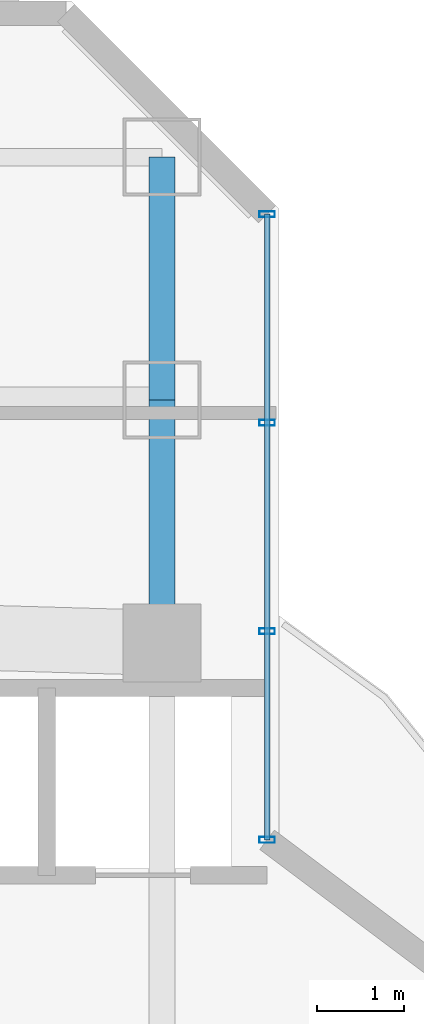
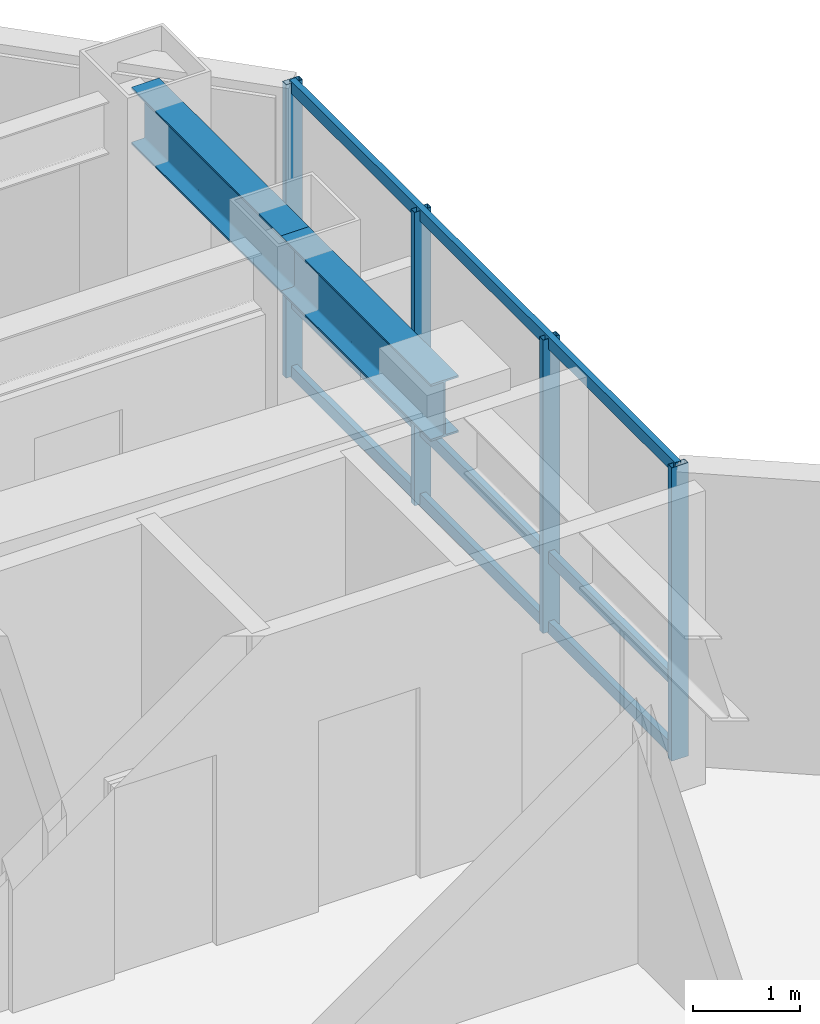
# One storey, part 19 of 30: 7 members, 2 beams, 1 element without a shape of its own.
"""IFC4 building model written with IfcOpenShell, lengths in metres."""

from ifc_helpers import new_model, si_unit, direction, frame, origin, origin_2d, place, context, subcontext, project, spatial, hollow_rectangle, i_section, extrude, material, layer, layer_set, material_profile, profile_set, type_object, element, aggregate, save


model = new_model("IFC4")

# Units and contexts
model_context = context("Model", 3, precision=1e-05, world=origin(), true_north=direction((0.0, 1.0)))
body_context = subcontext(model_context, "Body", "Model", "MODEL_VIEW")
ifc_project = project(units=[si_unit("LENGTHUNIT", "METRE"), si_unit("AREAUNIT", "SQUARE_METRE"), si_unit("VOLUMEUNIT", "CUBIC_METRE"), si_unit("PLANEANGLEUNIT", "RADIAN"), si_unit("MASSUNIT", "GRAM", prefix="KILO")], contexts=[model_context])

# Site, building, storey
site_placement = place(None, origin())
site = spatial("IfcSite", under=ifc_project, at=site_placement, CompositionType="ELEMENT")
building_placement = place(site_placement, origin())
building = spatial("IfcBuilding", under=site, at=building_placement, Name="Hatsunagi Terrace Concourse", CompositionType="ELEMENT")
storey_placement = place(building_placement, frame((0.0, 0.0, 101.25)))
storey = spatial("IfcBuildingStorey", under=building, at=storey_placement, Name="L26", CompositionType="ELEMENT", Elevation=101.25)

# Curtain wall, members
ifc_material_1 = material(Name="Anodised Aluminium Alloy 6063-T5", Category="aluminium")
ifc_layer = layer(ifc_material_1, 0.199951171875)
ifc_layer_set = layer_set([ifc_layer], Name="OfficeZone1_CW03")
curtain_wall_type = type_object("IfcCurtainWallType", Name="OfficeZone1_CW03", PredefinedType="NOTDEFINED", material=ifc_layer_set)
curtain_wall_placement = place(storey_placement, origin())
curtain_wall = element("IfcCurtainWall", 1, at=curtain_wall_placement, inside=storey, type_object=curtain_wall_type, Name="Unitised Curtain Wall CW-03 CW-L26-13", PredefinedType="NOTDEFINED")
ifc_material_2 = material(Name="Anodised Aluminium Alloy 6063-T5", Category="aluminium")
ifc_material_profile_1 = material_profile(ifc_material_2, hollow_rectangle(XDim=0.070068359375, YDim=0.179931640625, WallThickness=0.00390625, at=origin_2d()), Name="ALU-MUL-180x70x4")
ifc_profile_set_1 = profile_set([ifc_material_profile_1], Name="Anodised Aluminium Alloy 6063-T5")
member_type_1 = type_object("IfcMemberType", Name="CurtainWallMullion_180x70", PredefinedType="MULLION", material=ifc_profile_set_1)
member_1_placement = place(storey_placement, frame((44.860107421875, 47.94189453125, 0.0), z_axis=(0.0, 0.0, 1.0), x_axis=(0.0, -1.0, 0.0)))
member_1 = element("IfcMember", 2, at=member_1_placement, type_object=member_type_1, Name="Curtain Wall Mullion MUL-02", PredefinedType="MULLION", context=body_context, shape_type="SweptSolid", body=[
    extrude(hollow_rectangle(XDim=0.070068359375, YDim=0.179931640625, WallThickness=0.00390625, at=origin_2d()), origin(), (0.0, 0.0, 1.0), 3.35009765625),
])
member_2_placement = place(storey_placement, frame((44.860107421875, 45.5380859375, 0.0), z_axis=(0.0, 0.0, 1.0), x_axis=(0.0, -1.0, 0.0)))
member_2 = element("IfcMember", 3, at=member_2_placement, type_object=member_type_1, Name="Curtain Wall Mullion MUL-02", PredefinedType="MULLION", context=body_context, shape_type="SweptSolid", body=[
    extrude(hollow_rectangle(XDim=0.070068359375, YDim=0.179931640625, WallThickness=0.00390625, at=origin_2d()), origin(), (0.0, 0.0, 1.0), 3.35009765625),
])
member_3_placement = place(storey_placement, frame((44.860107421875, 43.134033203125, 0.0), z_axis=(0.0, 0.0, 1.0), x_axis=(0.0, -1.0, 0.0)))
member_3 = element("IfcMember", 4, at=member_3_placement, type_object=member_type_1, Name="Curtain Wall Mullion MUL-02", PredefinedType="MULLION", context=body_context, shape_type="SweptSolid", body=[
    extrude(hollow_rectangle(XDim=0.070068359375, YDim=0.179931640625, WallThickness=0.00390625, at=origin_2d()), origin(), (0.0, 0.0, 1.0), 3.35009765625),
])
member_4_placement = place(storey_placement, frame((44.860107421875, 40.72998046875, 0.0), z_axis=(0.0, 0.0, 1.0), x_axis=(0.0, -1.0, 0.0)))
member_4 = element("IfcMember", 5, at=member_4_placement, type_object=member_type_1, Name="Curtain Wall Mullion MUL-02", PredefinedType="MULLION", context=body_context, shape_type="SweptSolid", body=[
    extrude(hollow_rectangle(XDim=0.070068359375, YDim=0.179931640625, WallThickness=0.00390625, at=origin_2d()), origin(), (0.0, 0.0, 1.0), 3.35009765625),
])
ifc_material_3 = material(Name="Anodised Aluminium Alloy 6063-T5", Category="aluminium")
ifc_material_profile_2 = material_profile(ifc_material_3, hollow_rectangle(XDim=0.06494140625, YDim=0.139892578125, WallThickness=0.00390625, at=origin_2d()), Name="ALU-TRN-140x65x4")
ifc_profile_set_2 = profile_set([ifc_material_profile_2], Name="Anodised Aluminium Alloy 6063-T5")
member_type_2 = type_object("IfcMemberType", Name="CurtainWallTransom_140x65", PredefinedType="USERDEFINED", material=ifc_profile_set_2)
member_5_placement = place(storey_placement, frame((44.860107421875, 47.94189453125, 0.050048828125), z_axis=(0.0, -1.0, 0.0), x_axis=(1.0, 0.0, 0.0)))
member_5 = element("IfcMember", 6, at=member_5_placement, type_object=member_type_2, Name="Curtain Wall Transom TRN-02", ObjectType="TRANSOM", PredefinedType="USERDEFINED", context=body_context, shape_type="SweptSolid", body=[
    extrude(hollow_rectangle(XDim=0.06494140625, YDim=0.139892578125, WallThickness=0.00390625, at=origin_2d()), origin(), (0.0, 0.0, 1.0), 7.2119140625),
])
member_6_placement = place(storey_placement, frame((44.860107421875, 47.94189453125, 0.85009765625), z_axis=(0.0, -1.0, 0.0), x_axis=(1.0, 0.0, 0.0)))
member_6 = element("IfcMember", 7, at=member_6_placement, type_object=member_type_2, Name="Curtain Wall Transom TRN-02", ObjectType="TRANSOM", PredefinedType="USERDEFINED", context=body_context, shape_type="SweptSolid", body=[
    extrude(hollow_rectangle(XDim=0.06494140625, YDim=0.139892578125, WallThickness=0.00390625, at=origin_2d()), origin(), (0.0, 0.0, 1.0), 7.2119140625),
])
member_7_placement = place(storey_placement, frame((44.860107421875, 47.94189453125, 3.300048828125), z_axis=(0.0, -1.0, 0.0), x_axis=(1.0, 0.0, 0.0)))
member_7 = element("IfcMember", 8, at=member_7_placement, type_object=member_type_2, Name="Curtain Wall Transom TRN-02", ObjectType="TRANSOM", PredefinedType="USERDEFINED", context=body_context, shape_type="SweptSolid", body=[
    extrude(hollow_rectangle(XDim=0.06494140625, YDim=0.139892578125, WallThickness=0.00390625, at=origin_2d()), origin(), (0.0, 0.0, 1.0), 7.2119140625),
])
aggregate(curtain_wall, [member_1, member_2, member_3, member_4, member_5, member_6, member_7])

# Beams
ifc_material_4 = material(Name="Steel SN490B", Category="steel")
ifc_material_profile_3 = material_profile(ifc_material_4, i_section(OverallWidth=0.300048828125, OverallDepth=0.64990234375, WebThickness=0.012939453125, FlangeThickness=0.02197265625, FilletRadius=0.01806640625, at=origin_2d()), Name="H-650x300x13x22")
ifc_profile_set_3 = profile_set([ifc_material_profile_3], Name="Steel SN490B")
beam_type = type_object("IfcBeamType", Name="OfficeLowGirder_H_650x300", PredefinedType="BEAM", material=ifc_profile_set_3)
for number, where, z_axis, x_axis, name in (
    (9, (43.64990234375, 43.0, 3.02490234375), (0.0, 1.0, 0.0), (-1.0, 0.0, 0.0), "Beam G-05 BM-L26-CN3"),
    (10, (43.64990234375, 45.800048828125, 3.02490234375), (0.0, 1.0, 0.0), (-1.0, 0.0, 0.0), "Beam G-05 BM-L26-KN-WN6"),
):
    element("IfcBeam", number, at=place(storey_placement, frame(where, z_axis=z_axis, x_axis=x_axis)), inside=storey, type_object=beam_type, Name=name, PredefinedType="BEAM", context=body_context, shape_type="SweptSolid", body=[
        extrude(i_section(OverallWidth=0.300048828125, OverallDepth=0.64990234375, WebThickness=0.012939453125, FlangeThickness=0.02197265625, FilletRadius=0.01806640625, at=origin_2d()), origin(), (0.0, 0.0, 1.0), 2.800048828125),
    ])

save(model, "model.ifc")
